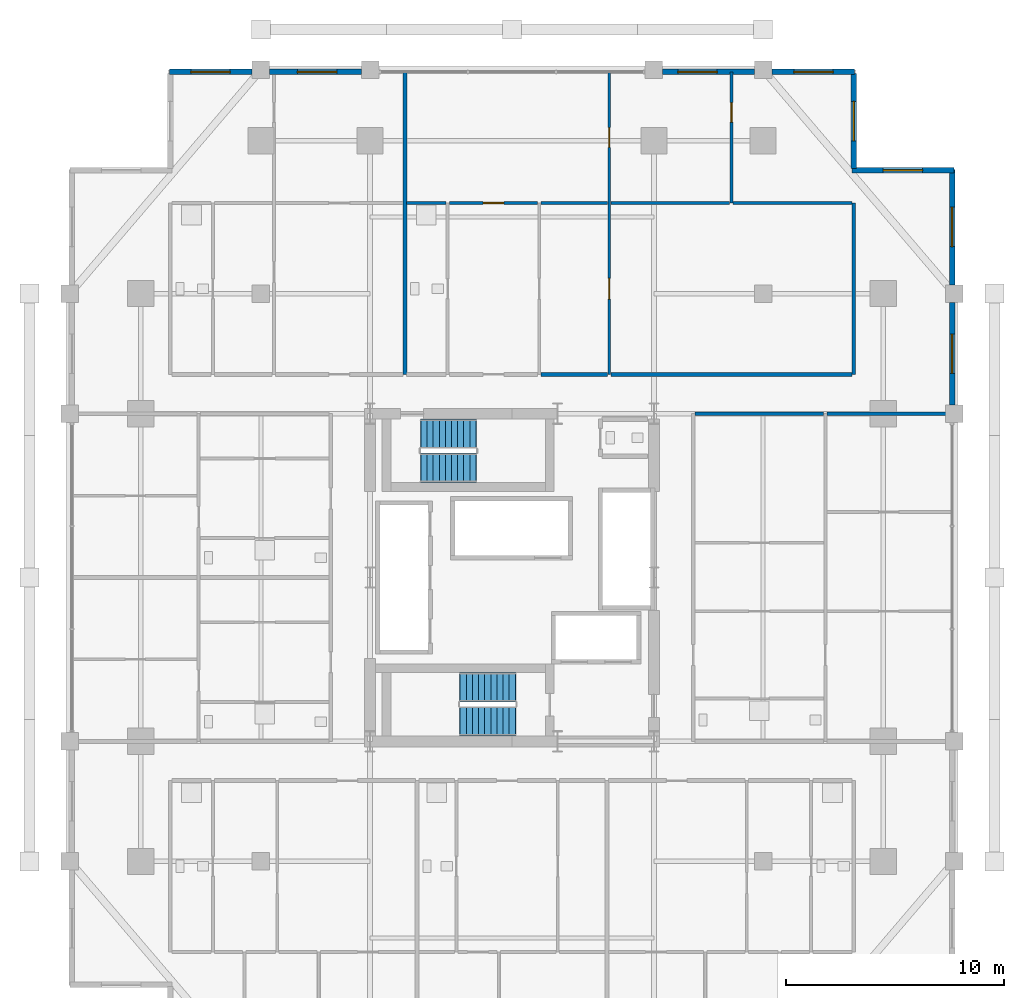
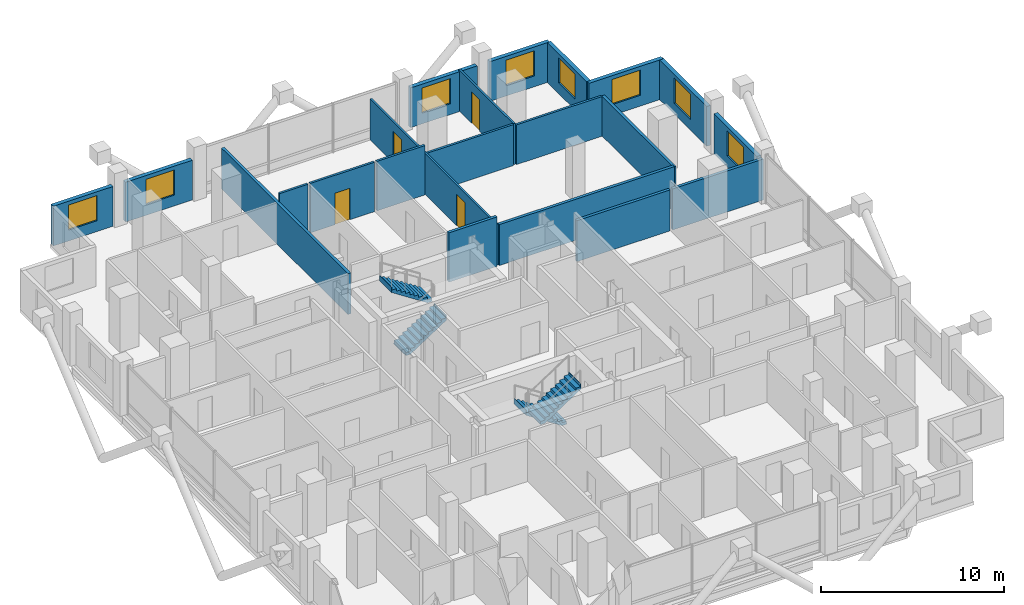
# One storey, part 21 of 23: 21 walls, 8 windows, 4 doors, 4 stair flights, 12 openings, 2 elements without a shape of their own.
"""IFC4 building model written with IfcOpenShell, lengths in metres."""

from ifc_helpers import new_model, si_unit, direction, frame, frame_2d, origin, place, context, subcontext, project, spatial, polyline, rectangle, outline, extrude, material, layer, layer_set, type_object, element, fill, aggregate, save


model = new_model("IFC4")

# Units and contexts
model_context = context("Model", 3, precision=1e-05, world=origin(), true_north=direction((0.0, 1.0)))
body_context = subcontext(model_context, "Body", "Model", "MODEL_VIEW")
ifc_project = project(units=[si_unit("LENGTHUNIT", "METRE"), si_unit("AREAUNIT", "SQUARE_METRE"), si_unit("VOLUMEUNIT", "CUBIC_METRE"), si_unit("PLANEANGLEUNIT", "RADIAN"), si_unit("MASSUNIT", "GRAM", prefix="KILO")], contexts=[model_context])

# Site, building, storey
site_placement = place(None, origin())
site = spatial("IfcSite", under=ifc_project, at=site_placement, CompositionType="ELEMENT")
building_placement = place(site_placement, origin())
building = spatial("IfcBuilding", under=site, at=building_placement, Name="Barlavira Tower and Art Museum", CompositionType="ELEMENT")
storey_placement = place(building_placement, frame((0.0, 0.0, 117.0)))
storey = spatial("IfcBuildingStorey", under=building, at=storey_placement, Name="L29", CompositionType="ELEMENT", Elevation=117.0)

# Wall, openings, doors
ifc_material_1 = material(Name="Gypsum acoustic stud partition", Category="gypsum")
ifc_layer_1 = layer(ifc_material_1, 0.1201171875, Name="Gypsum acoustic stud partition")
ifc_layer_set_1 = layer_set([ifc_layer_1], Name="Gypsum acoustic stud partition")
wall_type_1 = type_object("IfcWallType", Name="Apartment Internal Acoustic Partition 120", PredefinedType="PARTITIONING", material=ifc_layer_set_1)
wall_1_placement = place(storey_placement, frame((4.449951171875, 9.300048828125, 0.0), z_axis=(0.0, 0.0, 1.0), x_axis=(0.0, 1.0, 0.0)))
wall_1 = element("IfcWall", 1, at=wall_1_placement, inside=storey, type_object=wall_type_1, Name="L29 Partition Wall 20", PredefinedType="PARTITIONING", context=body_context, shape_type="SweptSolid", body=[
    extrude(rectangle(XDim=13.849853515625, YDim=0.1201171875, at=frame_2d((6.9248046875, 0.0))), origin(), (0.0, 0.0, 1.0), 2.736083984375),
])
opening_1_placement = place(wall_1_placement, frame((3.445068359375, 0.0, 0.0)))
opening_1 = element("IfcOpeningElement", 2, at=opening_1_placement, cuts=wall_1, Name="Opening D-02", PredefinedType="OPENING", context=body_context, shape_type="SweptSolid", body=[
    extrude(rectangle(XDim=0.949951171875, YDim=2.10009765625, at=frame_2d((0.47509765625, 1.050048828125))), frame((0.0, 0.070068359375, 0.0), z_axis=(0.0, -1.0, 0.0), x_axis=(1.0, 0.0, 0.0)), (0.0, 0.0, 1.0), 0.14013671875),
])
opening_2_placement = place(wall_1_placement, frame((10.39990234375, 0.0, 0.0)))
opening_2 = element("IfcOpeningElement", 3, at=opening_2_placement, cuts=wall_1, Name="Opening D-01", PredefinedType="OPENING", context=body_context, shape_type="SweptSolid", body=[
    extrude(rectangle(XDim=0.89990234375, YDim=2.10009765625, at=frame_2d((0.449951171875, 1.050048828125))), frame((0.0, 0.070068359375, 0.0), z_axis=(0.0, -1.0, 0.0), x_axis=(1.0, 0.0, 0.0)), (0.0, 0.0, 1.0), 0.14013671875),
])
ifc_material_2 = material(Name="Engineered coastal hardwood", Category="wood")
door_type_1 = type_object("IfcDoorType", Name="Internal Bedroom Timber Flush Door 900x2100", OperationType="NOTDEFINED", PredefinedType="DOOR", material=ifc_material_2)
door_1_placement = place(opening_2_placement, origin())
door_1 = element("IfcDoor", 4, at=door_1_placement, inside=storey, type_object=door_type_1, Name="Apartment N2 Bedroom 1 Door", OperationType="SINGLE_SWING_RIGHT", OverallHeight=2.10009765625, OverallWidth=0.89990234375, PredefinedType="DOOR", context=body_context, shape_type="SweptSolid", body=[
    extrude(rectangle(XDim=0.89990234375, YDim=2.10009765625, at=frame_2d((0.449951171875, 1.050048828125))), frame((0.0, 0.02490234375, 0.0), z_axis=(0.0, -1.0, 0.0), x_axis=(1.0, 0.0, 0.0)), (0.0, 0.0, 1.0), 0.050048828125),
])
fill(opening_2, door_1)
door_type_2 = type_object("IfcDoorType", Name="Living and Salon Glazed-Leaf Door 950x2100", OperationType="NOTDEFINED", PredefinedType="DOOR", material=ifc_material_2)
door_2_placement = place(opening_1_placement, origin())
door_2 = element("IfcDoor", 5, at=door_2_placement, inside=storey, type_object=door_type_2, Name="Apartment N2 Dining Salon Door", OperationType="SINGLE_SWING_RIGHT", OverallHeight=2.10009765625, OverallWidth=0.949951171875, PredefinedType="DOOR", context=body_context, shape_type="SweptSolid", body=[
    extrude(rectangle(XDim=0.949951171875, YDim=2.10009765625, at=frame_2d((0.47509765625, 1.050048828125))), frame((0.0, 0.02490234375, 0.0), z_axis=(0.0, -1.0, 0.0), x_axis=(1.0, 0.0, 0.0)), (0.0, 0.0, 1.0), 0.050048828125),
])
fill(opening_1, door_2)

# Wall, opening, door
wall_2_placement = place(storey_placement, frame((10.050048828125, 17.14990234375, 0.0), z_axis=(0.0, 0.0, 1.0), x_axis=(0.0, 1.0, 0.0)))
wall_2 = element("IfcWall", 6, at=wall_2_placement, inside=storey, type_object=wall_type_1, Name="L29 Partition Wall 23", PredefinedType="PARTITIONING", context=body_context, shape_type="SweptSolid", body=[
    extrude(rectangle(XDim=6.0, YDim=0.1201171875, at=frame_2d((3.0, 0.0))), origin(), (0.0, 0.0, 1.0), 2.736083984375),
])
opening_3_placement = place(wall_2_placement, frame((3.701171875, 0.0, 0.0)))
opening_3 = element("IfcOpeningElement", 7, at=opening_3_placement, cuts=wall_2, Name="Opening D-01", PredefinedType="OPENING", context=body_context, shape_type="SweptSolid", body=[
    extrude(rectangle(XDim=0.89990234375, YDim=2.10009765625, at=frame_2d((0.449951171875, 1.050048828125))), frame((0.0, 0.070068359375, 0.0), z_axis=(0.0, -1.0, 0.0), x_axis=(1.0, 0.0, 0.0)), (0.0, 0.0, 1.0), 0.14013671875),
])
door_3_placement = place(opening_3_placement, origin())
door_3 = element("IfcDoor", 8, at=door_3_placement, inside=storey, type_object=door_type_1, Name="Apartment N2 Bedroom 2 Door", OperationType="SINGLE_SWING_LEFT", OverallHeight=2.10009765625, OverallWidth=0.89990234375, PredefinedType="DOOR", context=body_context, shape_type="SweptSolid", body=[
    extrude(rectangle(XDim=0.89990234375, YDim=2.10009765625, at=frame_2d((0.449951171875, 1.050048828125))), frame((0.0, 0.02490234375, 0.0), z_axis=(0.0, -1.0, 0.0), x_axis=(1.0, 0.0, 0.0)), (0.0, 0.0, 1.0), 0.050048828125),
])
fill(opening_3, door_3)

# Walls
ifc_layer_2 = layer(ifc_material_1, 0.179931640625, Name="Gypsum acoustic stud partition")
ifc_layer_set_2 = layer_set([ifc_layer_2], Name="Gypsum acoustic stud partition")
wall_type_2 = type_object("IfcWallType", Name="Inter-Tenancy Party Partition Wall 180", PredefinedType="PARTITIONING", material=ifc_layer_set_2)
wall_3_placement = place(storey_placement, frame((-4.89990234375, 9.300048828125, 0.0), z_axis=(0.0, 0.0, 1.0), x_axis=(0.0, 1.0, 0.0)))
element("IfcWall", 9, at=wall_3_placement, inside=storey, type_object=wall_type_2, Name="L29 Partition Wall 11", PredefinedType="PARTITIONING", context=body_context, shape_type="SweptSolid", body=[
    extrude(rectangle(XDim=13.849853515625, YDim=0.179931640625, at=frame_2d((6.9248046875, 0.0))), origin(), (0.0, 0.0, 1.0), 2.736083984375),
])
wall_4_placement = place(storey_placement, frame((15.64990234375, 9.300048828125, 0.0), z_axis=(0.0, 0.0, 1.0), x_axis=(0.0, 1.0, 0.0)))
element("IfcWall", 10, at=wall_4_placement, inside=storey, type_object=wall_type_2, Name="L29 Partition Wall 29", PredefinedType="PARTITIONING", context=body_context, shape_type="SweptSolid", body=[
    extrude(rectangle(XDim=7.849853515625, YDim=0.179931640625, at=frame_2d((3.9248046875, 0.0))), origin(), (0.0, 0.0, 1.0), 2.656005859375),
])
wall_5_placement = place(storey_placement, frame((8.3798828125, 7.5, 0.0), z_axis=(0.0, 0.0, 1.0), x_axis=(1.0, 0.0, 0.0)))
element("IfcWall", 11, at=wall_5_placement, inside=storey, type_object=wall_type_2, Name="L29 Partition Wall 74", PredefinedType="PARTITIONING", context=body_context, shape_type="SweptSolid", body=[
    extrude(rectangle(XDim=5.89013671875, YDim=0.179931640625, at=frame_2d((2.945068359375, 0.0))), origin(), (0.0, 0.0, 1.0), 2.736083984375),
])
wall_6_placement = place(storey_placement, frame((14.429931640625, 7.5, 0.0), z_axis=(0.0, 0.0, 1.0), x_axis=(1.0, 0.0, 0.0)))
element("IfcWall", 12, at=wall_6_placement, inside=storey, type_object=wall_type_2, Name="L29 Partition Wall 75", PredefinedType="PARTITIONING", context=body_context, shape_type="SweptSolid", body=[
    extrude(rectangle(XDim=5.719970703125, YDim=0.179931640625, at=frame_2d((2.85986328125, 0.0))), origin(), (0.0, 0.0, 1.0), 2.736083984375),
])
wall_7_placement = place(storey_placement, frame((1.330078125, 9.300048828125, 0.0), z_axis=(0.0, 0.0, 1.0), x_axis=(1.0, 0.0, 0.0)))
element("IfcWall", 13, at=wall_7_placement, inside=storey, type_object=wall_type_2, Name="L29 Partition Wall 81", PredefinedType="PARTITIONING", context=body_context, shape_type="SweptSolid", body=[
    extrude(rectangle(XDim=3.0400390625, YDim=0.179931640625, at=frame_2d((1.52001953125, 0.0))), origin(), (0.0, 0.0, 1.0), 3.300048828125),
])
wall_8_placement = place(storey_placement, frame((4.530029296875, 9.300048828125, 0.0), z_axis=(0.0, 0.0, 1.0), x_axis=(1.0, 0.0, 0.0)))
element("IfcWall", 14, at=wall_8_placement, inside=storey, type_object=wall_type_2, Name="L29 Partition Wall 82", PredefinedType="PARTITIONING", context=body_context, shape_type="SweptSolid", body=[
    extrude(rectangle(XDim=11.0400390625, YDim=0.179931640625, at=frame_2d((5.52001953125, 0.0))), origin(), (0.0, 0.0, 1.0), 2.736083984375),
])
ifc_layer_3 = layer(ifc_material_1, 0.139892578125, Name="Gypsum acoustic stud partition")
ifc_layer_set_3 = layer_set([ifc_layer_3], Name="Gypsum acoustic stud partition")
wall_type_3 = type_object("IfcWallType", Name="Moisture-Resistant Bathroom Partition 140", PredefinedType="PARTITIONING", material=ifc_layer_set_3)
wall_9_placement = place(storey_placement, frame((-4.820068359375, 17.14990234375, 0.0), z_axis=(0.0, 0.0, 1.0), x_axis=(1.0, 0.0, 0.0)))
element("IfcWall", 15, at=wall_9_placement, inside=storey, type_object=wall_type_3, Name="L29 Partition Wall 86", PredefinedType="PARTITIONING", context=body_context, shape_type="SweptSolid", body=[
    extrude(rectangle(XDim=1.7900390625, YDim=0.139892578125, at=frame_2d((0.89501953125, 0.0))), origin(), (0.0, 0.0, 1.0), 3.300048828125),
])

# Wall, opening, door
wall_10_placement = place(storey_placement, frame((-2.8701171875, 17.14990234375, 0.0), z_axis=(0.0, 0.0, 1.0), x_axis=(1.0, 0.0, 0.0)))
wall_10 = element("IfcWall", 16, at=wall_10_placement, inside=storey, type_object=wall_type_3, Name="L29 Partition Wall 87", PredefinedType="PARTITIONING", context=body_context, shape_type="SweptSolid", body=[
    extrude(rectangle(XDim=4.0400390625, YDim=0.139892578125, at=frame_2d((2.02001953125, 0.0))), origin(), (0.0, 0.0, 1.0), 3.300048828125),
])
opening_4_placement = place(wall_10_placement, frame((1.544921875, 0.0, 0.0)))
opening_4 = element("IfcOpeningElement", 17, at=opening_4_placement, cuts=wall_10, Name="Opening D-02", PredefinedType="OPENING", context=body_context, shape_type="SweptSolid", body=[
    extrude(rectangle(XDim=0.949951171875, YDim=2.10009765625, at=frame_2d((0.47509765625, 1.050048828125))), frame((0.0, 0.080078125, 0.0), z_axis=(0.0, -1.0, 0.0), x_axis=(1.0, 0.0, 0.0)), (0.0, 0.0, 1.0), 0.159912109375),
])
door_4_placement = place(opening_4_placement, origin())
door_4 = element("IfcDoor", 18, at=door_4_placement, inside=storey, type_object=door_type_2, Name="Apartment N2 Living Lounge Door", OperationType="SINGLE_SWING_LEFT", OverallHeight=2.10009765625, OverallWidth=0.949951171875, PredefinedType="DOOR", context=body_context, shape_type="SweptSolid", body=[
    extrude(rectangle(XDim=0.949951171875, YDim=2.10009765625, at=frame_2d((0.47509765625, 1.050048828125))), frame((0.0, 0.02490234375, 0.0), z_axis=(0.0, -1.0, 0.0), x_axis=(1.0, 0.0, 0.0)), (0.0, 0.0, 1.0), 0.050048828125),
])
fill(opening_4, door_4)

# Walls
wall_11_placement = place(storey_placement, frame((1.330078125, 17.14990234375, 0.0), z_axis=(0.0, 0.0, 1.0), x_axis=(1.0, 0.0, 0.0)))
element("IfcWall", 19, at=wall_11_placement, inside=storey, type_object=wall_type_3, Name="L29 Partition Wall 88", PredefinedType="PARTITIONING", context=body_context, shape_type="SweptSolid", body=[
    extrude(rectangle(XDim=3.0400390625, YDim=0.139892578125, at=frame_2d((1.52001953125, 0.0))), origin(), (0.0, 0.0, 1.0), 3.300048828125),
])
wall_12_placement = place(storey_placement, frame((4.530029296875, 17.14990234375, 0.0), z_axis=(0.0, 0.0, 1.0), x_axis=(1.0, 0.0, 0.0)))
element("IfcWall", 20, at=wall_12_placement, inside=storey, type_object=wall_type_3, Name="L29 Partition Wall 89", PredefinedType="PARTITIONING", context=body_context, shape_type="SweptSolid", body=[
    extrude(rectangle(XDim=5.43994140625, YDim=0.139892578125, at=frame_2d((2.719970703125, 0.0))), origin(), (0.0, 0.0, 1.0), 2.736083984375),
])
wall_13_placement = place(storey_placement, frame((10.1298828125, 17.14990234375, 0.0), z_axis=(0.0, 0.0, 1.0), x_axis=(1.0, 0.0, 0.0)))
element("IfcWall", 21, at=wall_13_placement, inside=storey, type_object=wall_type_3, Name="L29 Partition Wall 90", PredefinedType="PARTITIONING", context=body_context, shape_type="SweptSolid", body=[
    extrude(rectangle(XDim=5.440185546875, YDim=0.139892578125, at=frame_2d((2.72021484375, 0.0))), origin(), (0.0, 0.0, 1.0), 2.656005859375),
])

# Wall, opening, window
ifc_material_3 = material(Name="Precast concrete C40", Category="concrete")
ifc_layer_4 = layer(ifc_material_3, 0.25, Name="Precast concrete C40")
ifc_layer_set_4 = layer_set([ifc_layer_4], Name="Precast concrete C40")
wall_type_4 = type_object("IfcWallType", Name="Notched Corner Spandrel Wall 250 Precast Concrete C40", PredefinedType="SOLIDWALL", material=ifc_layer_set_4)
wall_14_placement = place(storey_placement, frame((15.675048828125, 23.14990234375, 0.0), z_axis=(0.0, 0.0, 1.0), x_axis=(-1.0, 0.0, 0.0)))
wall_14 = element("IfcWall", 22, at=wall_14_placement, inside=storey, type_object=wall_type_4, Name="L29 Coastal Facade Pier Wall CW2-L29-N-1", PredefinedType="SOLIDWALL", context=body_context, shape_type="SweptSolid", body=[
    extrude(rectangle(XDim=3.780029296875, YDim=0.25, at=frame_2d((1.89013671875, 0.0))), origin(), (0.0, 0.0, 1.0), 2.656005859375),
])
opening_5_placement = place(wall_14_placement, frame((0.968017578125, 0.0, 0.719970703125)))
opening_5 = element("IfcOpeningElement", 23, at=opening_5_placement, cuts=wall_14, Name="Opening WN-01", PredefinedType="OPENING", context=body_context, shape_type="SweptSolid", body=[
    extrude(rectangle(XDim=1.800048828125, YDim=1.679931640625, at=frame_2d((0.89990234375, 0.83984375))), frame((0.0, 0.135009765625, 0.0), z_axis=(0.0, -1.0, 0.0), x_axis=(1.0, 0.0, 0.0)), (0.0, 0.0, 1.0), 0.27001953125),
])
ifc_material_4 = material(Name="Low-iron coastal laminated glass", Category="glass")
window_type = type_object("IfcWindowType", Name="Recessed Notch Corner Punch Window 1800x1680", PartitioningType="SINGLE_PANEL", PredefinedType="WINDOW", material=ifc_material_4)
window_1_placement = place(opening_5_placement, origin())
window_1 = element("IfcWindow", 24, at=window_1_placement, inside=storey, type_object=window_type, Name="L29 Punched Facade Window EWP-CW2-L29-N-1-1", OverallHeight=1.679931640625, OverallWidth=1.800048828125, PartitioningType="SINGLE_PANEL", PredefinedType="WINDOW", context=body_context, shape_type="SweptSolid", body=[
    extrude(rectangle(XDim=1.800048828125, YDim=1.679931640625, at=frame_2d((0.89990234375, 0.83984375))), frame((0.0, 0.030029296875, 0.0), z_axis=(0.0, -1.0, 0.0), x_axis=(1.0, 0.0, 0.0)), (0.0, 0.0, 1.0), 0.06005859375),
])
fill(opening_5, window_1)

wall_15_placement = place(storey_placement, frame((11.10498046875, 23.14990234375, 0.0), z_axis=(0.0, 0.0, 1.0), x_axis=(-1.0, 0.0, 0.0)))
wall_15 = element("IfcWall", 25, at=wall_15_placement, inside=storey, type_object=wall_type_4, Name="L29 Coastal Facade Pier Wall CW2-L29-N-2", PredefinedType="SOLIDWALL", context=body_context, shape_type="SweptSolid", body=[
    extrude(rectangle(XDim=4.2099609375, YDim=0.25, at=frame_2d((2.10498046875, 0.0))), origin(), (0.0, 0.0, 1.0), 2.656005859375),
])
opening_6_placement = place(wall_15_placement, frame((1.7099609375, 0.0, 0.719970703125)))
opening_6 = element("IfcOpeningElement", 26, at=opening_6_placement, cuts=wall_15, Name="Opening WN-01", PredefinedType="OPENING", context=body_context, shape_type="SweptSolid", body=[
    extrude(rectangle(XDim=1.800048828125, YDim=1.679931640625, at=frame_2d((0.89990234375, 0.83984375))), frame((0.0, 0.135009765625, 0.0), z_axis=(0.0, -1.0, 0.0), x_axis=(1.0, 0.0, 0.0)), (0.0, 0.0, 1.0), 0.27001953125),
])
window_2_placement = place(opening_6_placement, origin())
window_2 = element("IfcWindow", 27, at=window_2_placement, inside=storey, type_object=window_type, Name="L29 Punched Facade Window EWP-CW2-L29-N-2-1", OverallHeight=1.679931640625, OverallWidth=1.800048828125, PartitioningType="SINGLE_PANEL", PredefinedType="WINDOW", context=body_context, shape_type="SweptSolid", body=[
    extrude(rectangle(XDim=1.800048828125, YDim=1.679931640625, at=frame_2d((0.89990234375, 0.83984375))), frame((0.0, 0.030029296875, 0.0), z_axis=(0.0, -1.0, 0.0), x_axis=(1.0, 0.0, 0.0)), (0.0, 0.0, 1.0), 0.06005859375),
])
fill(opening_6, window_2)

wall_16_placement = place(storey_placement, frame((-6.89501953125, 23.14990234375, 0.0), z_axis=(0.0, 0.0, 1.0), x_axis=(-1.0, 0.0, 0.0)))
wall_16 = element("IfcWall", 28, at=wall_16_placement, inside=storey, type_object=wall_type_4, Name="L29 Coastal Facade Pier Wall CW2-L29-N-4", PredefinedType="SOLIDWALL", context=body_context, shape_type="SweptSolid", body=[
    extrude(rectangle(XDim=4.2099609375, YDim=0.25, at=frame_2d((2.10498046875, 0.0))), origin(), (0.0, 0.0, 1.0), 2.656005859375),
])
opening_7_placement = place(wall_16_placement, frame((1.1298828125, 0.0, 0.719970703125)))
opening_7 = element("IfcOpeningElement", 29, at=opening_7_placement, cuts=wall_16, Name="Opening WN-01", PredefinedType="OPENING", context=body_context, shape_type="SweptSolid", body=[
    extrude(rectangle(XDim=1.800048828125, YDim=1.679931640625, at=frame_2d((0.89990234375, 0.83984375))), frame((0.0, 0.135009765625, 0.0), z_axis=(0.0, -1.0, 0.0), x_axis=(1.0, 0.0, 0.0)), (0.0, 0.0, 1.0), 0.27001953125),
])
window_3_placement = place(opening_7_placement, origin())
window_3 = element("IfcWindow", 30, at=window_3_placement, inside=storey, type_object=window_type, Name="L29 Punched Facade Window EWP-CW2-L29-N-4-1", OverallHeight=1.679931640625, OverallWidth=1.800048828125, PartitioningType="SINGLE_PANEL", PredefinedType="WINDOW", context=body_context, shape_type="SweptSolid", body=[
    extrude(rectangle(XDim=1.800048828125, YDim=1.679931640625, at=frame_2d((0.89990234375, 0.83984375))), frame((0.0, 0.030029296875, 0.0), z_axis=(0.0, -1.0, 0.0), x_axis=(1.0, 0.0, 0.0)), (0.0, 0.0, 1.0), 0.06005859375),
])
fill(opening_7, window_3)

wall_17_placement = place(storey_placement, frame((-11.89501953125, 23.14990234375, 0.0), z_axis=(0.0, 0.0, 1.0), x_axis=(-1.0, 0.0, 0.0)))
wall_17 = element("IfcWall", 31, at=wall_17_placement, inside=storey, type_object=wall_type_4, Name="L29 Coastal Facade Pier Wall CW2-L29-N-5", PredefinedType="SOLIDWALL", context=body_context, shape_type="SweptSolid", body=[
    extrude(rectangle(XDim=3.780029296875, YDim=0.25, at=frame_2d((1.89013671875, 0.0))), origin(), (0.0, 0.0, 1.0), 2.656005859375),
])
opening_8_placement = place(wall_17_placement, frame((1.012939453125, 0.0, 0.719970703125)))
opening_8 = element("IfcOpeningElement", 32, at=opening_8_placement, cuts=wall_17, Name="Opening WN-01", PredefinedType="OPENING", context=body_context, shape_type="SweptSolid", body=[
    extrude(rectangle(XDim=1.800048828125, YDim=1.679931640625, at=frame_2d((0.89990234375, 0.83984375))), frame((0.0, 0.135009765625, 0.0), z_axis=(0.0, -1.0, 0.0), x_axis=(1.0, 0.0, 0.0)), (0.0, 0.0, 1.0), 0.27001953125),
])
window_4_placement = place(opening_8_placement, origin())
window_4 = element("IfcWindow", 33, at=window_4_placement, inside=storey, type_object=window_type, Name="L29 Punched Facade Window EWP-CW2-L29-N-5-1", OverallHeight=1.679931640625, OverallWidth=1.800048828125, PartitioningType="SINGLE_PANEL", PredefinedType="WINDOW", context=body_context, shape_type="SweptSolid", body=[
    extrude(rectangle(XDim=1.800048828125, YDim=1.679931640625, at=frame_2d((0.89990234375, 0.83984375))), frame((0.0, 0.030029296875, 0.0), z_axis=(0.0, -1.0, 0.0), x_axis=(1.0, 0.0, 0.0)), (0.0, 0.0, 1.0), 0.06005859375),
])
fill(opening_8, window_4)

wall_18_placement = place(storey_placement, frame((20.14990234375, 7.89501953125, 0.0), z_axis=(0.0, 0.0, 1.0), x_axis=(0.0, 1.0, 0.0)))
wall_18 = element("IfcWall", 34, at=wall_18_placement, inside=storey, type_object=wall_type_4, Name="L29 Coastal Facade Pier Wall CW2-L29-E-4", PredefinedType="SOLIDWALL", context=body_context, shape_type="SweptSolid", body=[
    extrude(rectangle(XDim=4.7099609375, YDim=0.25, at=frame_2d((2.35498046875, 0.0))), origin(), (0.0, 0.0, 1.0), 2.656005859375),
])
opening_9_placement = place(wall_18_placement, frame((1.455078125, 0.0, 0.719970703125)))
opening_9 = element("IfcOpeningElement", 35, at=opening_9_placement, cuts=wall_18, Name="Opening WN-01", PredefinedType="OPENING", context=body_context, shape_type="SweptSolid", body=[
    extrude(rectangle(XDim=1.800048828125, YDim=1.679931640625, at=frame_2d((0.89990234375, 0.83984375))), frame((0.0, 0.135009765625, 0.0), z_axis=(0.0, -1.0, 0.0), x_axis=(1.0, 0.0, 0.0)), (0.0, 0.0, 1.0), 0.27001953125),
])
window_5_placement = place(opening_9_placement, origin())
window_5 = element("IfcWindow", 36, at=window_5_placement, inside=storey, type_object=window_type, Name="L29 Punched Facade Window EWP-CW2-L29-E-4-1", OverallHeight=1.679931640625, OverallWidth=1.800048828125, PartitioningType="SINGLE_PANEL", PredefinedType="WINDOW", context=body_context, shape_type="SweptSolid", body=[
    extrude(rectangle(XDim=1.800048828125, YDim=1.679931640625, at=frame_2d((0.89990234375, 0.83984375))), frame((0.0, 0.030029296875, 0.0), z_axis=(0.0, -1.0, 0.0), x_axis=(1.0, 0.0, 0.0)), (0.0, 0.0, 1.0), 0.06005859375),
])
fill(opening_9, window_5)

wall_19_placement = place(storey_placement, frame((20.14990234375, 13.39501953125, 0.0), z_axis=(0.0, 0.0, 1.0), x_axis=(0.0, 1.0, 0.0)))
wall_19 = element("IfcWall", 37, at=wall_19_placement, inside=storey, type_object=wall_type_4, Name="L29 Coastal Facade Pier Wall CW2-L29-E-5", PredefinedType="SOLIDWALL", context=body_context, shape_type="SweptSolid", body=[
    extrude(rectangle(XDim=5.280029296875, YDim=0.25, at=frame_2d((2.64013671875, 0.0))), origin(), (0.0, 0.0, 1.0), 2.656005859375),
])
opening_10_placement = place(wall_19_placement, frame((1.762939453125, 0.0, 0.719970703125)))
opening_10 = element("IfcOpeningElement", 38, at=opening_10_placement, cuts=wall_19, Name="Opening WN-01", PredefinedType="OPENING", context=body_context, shape_type="SweptSolid", body=[
    extrude(rectangle(XDim=1.800048828125, YDim=1.679931640625, at=frame_2d((0.89990234375, 0.83984375))), frame((0.0, 0.135009765625, 0.0), z_axis=(0.0, -1.0, 0.0), x_axis=(1.0, 0.0, 0.0)), (0.0, 0.0, 1.0), 0.27001953125),
])
window_6_placement = place(opening_10_placement, origin())
window_6 = element("IfcWindow", 39, at=window_6_placement, inside=storey, type_object=window_type, Name="L29 Punched Facade Window EWP-CW2-L29-E-5-1", OverallHeight=1.679931640625, OverallWidth=1.800048828125, PartitioningType="SINGLE_PANEL", PredefinedType="WINDOW", context=body_context, shape_type="SweptSolid", body=[
    extrude(rectangle(XDim=1.800048828125, YDim=1.679931640625, at=frame_2d((0.89990234375, 0.83984375))), frame((0.0, 0.030029296875, 0.0), z_axis=(0.0, -1.0, 0.0), x_axis=(1.0, 0.0, 0.0)), (0.0, 0.0, 1.0), 0.06005859375),
])
fill(opening_10, window_6)

wall_20_placement = place(storey_placement, frame((20.22998046875, 18.64990234375, 0.0), z_axis=(0.0, 0.0, 1.0), x_axis=(-1.0, 0.0, 0.0)))
wall_20 = element("IfcWall", 40, at=wall_20_placement, inside=storey, type_object=wall_type_4, Name="L29 Notch Corner Wall NE1", PredefinedType="SOLIDWALL", context=body_context, shape_type="SweptSolid", body=[
    extrude(rectangle(XDim=4.659912109375, YDim=0.25, at=frame_2d((2.330078125, 0.0))), origin(), (0.0, 0.0, 1.0), 2.656005859375),
])
opening_11_placement = place(wall_20_placement, frame((1.429931640625, 0.0, 0.719970703125)))
opening_11 = element("IfcOpeningElement", 41, at=opening_11_placement, cuts=wall_20, Name="Opening WN-01", PredefinedType="OPENING", context=body_context, shape_type="SweptSolid", body=[
    extrude(rectangle(XDim=1.800048828125, YDim=1.679931640625, at=frame_2d((0.89990234375, 0.83984375))), frame((0.0, 0.135009765625, 0.0), z_axis=(0.0, -1.0, 0.0), x_axis=(1.0, 0.0, 0.0)), (0.0, 0.0, 1.0), 0.27001953125),
])
window_7_placement = place(opening_11_placement, origin())
window_7 = element("IfcWindow", 42, at=window_7_placement, inside=storey, type_object=window_type, Name="L29 Punched Facade Window EW-NTC-L29-NE1-1", OverallHeight=1.679931640625, OverallWidth=1.800048828125, PartitioningType="SINGLE_PANEL", PredefinedType="WINDOW", context=body_context, shape_type="SweptSolid", body=[
    extrude(rectangle(XDim=1.800048828125, YDim=1.679931640625, at=frame_2d((0.89990234375, 0.83984375))), frame((0.0, 0.030029296875, 0.0), z_axis=(0.0, -1.0, 0.0), x_axis=(1.0, 0.0, 0.0)), (0.0, 0.0, 1.0), 0.06005859375),
])
fill(opening_11, window_7)

wall_21_placement = place(storey_placement, frame((15.64990234375, 18.72998046875, 0.0), z_axis=(0.0, 0.0, 1.0), x_axis=(0.0, 1.0, 0.0)))
wall_21 = element("IfcWall", 43, at=wall_21_placement, inside=storey, type_object=wall_type_4, Name="L29 Notch Corner Wall NE2", PredefinedType="SOLIDWALL", context=body_context, shape_type="SweptSolid", body=[
    extrude(rectangle(XDim=4.340087890625, YDim=0.25, at=frame_2d((2.169921875, 0.0))), origin(), (0.0, 0.0, 1.0), 2.656005859375),
])
opening_12_placement = place(wall_21_placement, frame((1.27001953125, 0.0, 0.719970703125)))
opening_12 = element("IfcOpeningElement", 44, at=opening_12_placement, cuts=wall_21, Name="Opening WN-01", PredefinedType="OPENING", context=body_context, shape_type="SweptSolid", body=[
    extrude(rectangle(XDim=1.800048828125, YDim=1.679931640625, at=frame_2d((0.89990234375, 0.83984375))), frame((0.0, 0.135009765625, 0.0), z_axis=(0.0, -1.0, 0.0), x_axis=(1.0, 0.0, 0.0)), (0.0, 0.0, 1.0), 0.27001953125),
])
window_8_placement = place(opening_12_placement, origin())
window_8 = element("IfcWindow", 45, at=window_8_placement, inside=storey, type_object=window_type, Name="L29 Punched Facade Window EW-NTC-L29-NE2-1", OverallHeight=1.679931640625, OverallWidth=1.800048828125, PartitioningType="SINGLE_PANEL", PredefinedType="WINDOW", context=body_context, shape_type="SweptSolid", body=[
    extrude(rectangle(XDim=1.800048828125, YDim=1.679931640625, at=frame_2d((0.89990234375, 0.83984375))), frame((0.0, 0.030029296875, 0.0), z_axis=(0.0, -1.0, 0.0), x_axis=(1.0, 0.0, 0.0)), (0.0, 0.0, 1.0), 0.06005859375),
])
fill(opening_12, window_8)

# Stair, stair flights
ifc_material_5 = material(Name="Concrete C45", Category="concrete")
stair_type_1 = type_object("IfcStairType", Name="Tower North Dog-Leg Exit Stair Assembly Concrete C45", PredefinedType="TWO_QUARTER_TURN_STAIR", material=ifc_material_5)
stair_1_placement = place(storey_placement, origin())
stair_1 = element("IfcStair", 46, at=stair_1_placement, inside=storey, type_object=stair_type_1, Name="L29 Tower North Exit Stair ST-T2", PredefinedType="TWO_QUARTER_TURN_STAIR")
ifc_material_6 = material(Name="Precast concrete C45", Category="concrete")
stair_flight_type_1 = type_object("IfcStairFlightType", Name="Tower North Dog-Leg Exit Stair Precast Flight 1350 Concrete C45", PredefinedType="STRAIGHT", material=ifc_material_6)
stair_flight_1_placement = place(storey_placement, frame((-4.169921875, 5.02490234375, 0.0), z_axis=(0.0, 0.0, 1.0), x_axis=(1.0, 0.0, 0.0)))
stair_flight_1 = element("IfcStairFlight", 47, at=stair_flight_1_placement, type_object=stair_flight_type_1, Name="ST-T2 flight 1", NumberOfRisers=10, NumberOfTreads=9, PredefinedType="STRAIGHT", RiserHeight=0.18, TreadLength=0.28, context=body_context, shape_type="SweptSolid", body=[
    extrude(outline(polyline([(-0.02490234375, 0.0), (0.0, 0.0), (0.0, 0.179931640625), (0.280029296875, 0.179931640625), (0.280029296875, 0.360107421875), (0.56005859375, 0.360107421875), (0.56005859375, 0.5400390625), (0.840087890625, 0.5400390625), (0.840087890625, 0.719970703125), (1.1201171875, 0.719970703125), (1.1201171875, 0.89990234375), (1.39990234375, 0.89990234375), (1.39990234375, 1.080078125), (1.679931640625, 1.080078125), (1.679931640625, 1.260009765625), (1.9599609375, 1.260009765625), (1.9599609375, 1.43994140625), (2.239990234375, 1.43994140625), (2.239990234375, 1.6201171875), (2.52001953125, 1.6201171875), (2.52001953125, 1.800048828125), (2.544921875, 1.800048828125), (2.544921875, 1.44189453125), (2.52001953125, 1.44189453125), (0.277099609375, -0.02490234375), (-0.02490234375, -0.02490234375), (-0.02490234375, 0.0)])), frame((0.0, 0.675048828125, 0.0), z_axis=(0.0, -1.0, 0.0), x_axis=(1.0, 0.0, 0.0)), (0.0, 0.0, 1.0), 1.35009765625),
])
stair_flight_2_placement = place(storey_placement, frame((-1.64990234375, 6.574951171875, 1.800048828125), z_axis=(0.0, 0.0, 1.0), x_axis=(-1.0, 0.0, 0.0)))
stair_flight_2 = element("IfcStairFlight", 48, at=stair_flight_2_placement, type_object=stair_flight_type_1, Name="ST-T2 flight 2", NumberOfRisers=10, NumberOfTreads=9, PredefinedType="STRAIGHT", RiserHeight=0.18, TreadLength=0.28, context=body_context, shape_type="SweptSolid", body=[
    extrude(outline(polyline([(-0.02490234375, 0.0), (0.0, 0.0), (0.0, 0.179931640625), (0.280029296875, 0.179931640625), (0.280029296875, 0.360107421875), (0.56005859375, 0.360107421875), (0.56005859375, 0.5400390625), (0.840087890625, 0.5400390625), (0.840087890625, 0.719970703125), (1.1201171875, 0.719970703125), (1.1201171875, 0.89990234375), (1.39990234375, 0.89990234375), (1.39990234375, 1.080078125), (1.679931640625, 1.080078125), (1.679931640625, 1.260009765625), (1.9599609375, 1.260009765625), (1.9599609375, 1.43994140625), (2.239990234375, 1.43994140625), (2.239990234375, 1.6201171875), (2.52001953125, 1.6201171875), (2.52001953125, 1.800048828125), (2.544921875, 1.800048828125), (2.544921875, 1.44189453125), (2.52001953125, 1.44189453125), (0.277099609375, -0.02490234375), (-0.02490234375, -0.02490234375), (-0.02490234375, 0.0)])), frame((0.0, 0.675048828125, 0.0), z_axis=(0.0, -1.0, 0.0), x_axis=(1.0, 0.0, 0.0)), (0.0, 0.0, 1.0), 1.35009765625),
])
aggregate(stair_1, [stair_flight_1, stair_flight_2])

stair_type_2 = type_object("IfcStairType", Name="Tower South Dog-Leg Exit Stair Assembly Concrete C45", PredefinedType="TWO_QUARTER_TURN_STAIR", material=ifc_material_5)
stair_2_placement = place(storey_placement, origin())
stair_2 = element("IfcStair", 49, at=stair_2_placement, inside=storey, type_object=stair_type_2, Name="L29 Tower South Exit Stair ST-T1", PredefinedType="TWO_QUARTER_TURN_STAIR")
stair_flight_type_2 = type_object("IfcStairFlightType", Name="Tower South Dog-Leg Exit Stair Precast Flight 1350 Concrete C45", PredefinedType="STRAIGHT", material=ifc_material_6)
stair_flight_3_placement = place(storey_placement, frame((0.14990234375, -5.02490234375, 0.0), z_axis=(0.0, 0.0, 1.0), x_axis=(-1.0, 0.0, 0.0)))
stair_flight_3 = element("IfcStairFlight", 50, at=stair_flight_3_placement, type_object=stair_flight_type_2, Name="ST-T1 flight 1", NumberOfRisers=10, NumberOfTreads=9, PredefinedType="STRAIGHT", RiserHeight=0.18, TreadLength=0.28, context=body_context, shape_type="SweptSolid", body=[
    extrude(outline(polyline([(-0.02490234375, 0.0), (0.0, 0.0), (0.0, 0.179931640625), (0.280029296875, 0.179931640625), (0.280029296875, 0.360107421875), (0.56005859375, 0.360107421875), (0.56005859375, 0.5400390625), (0.840087890625, 0.5400390625), (0.840087890625, 0.719970703125), (1.1201171875, 0.719970703125), (1.1201171875, 0.89990234375), (1.39990234375, 0.89990234375), (1.39990234375, 1.080078125), (1.679931640625, 1.080078125), (1.679931640625, 1.260009765625), (1.9599609375, 1.260009765625), (1.9599609375, 1.43994140625), (2.239990234375, 1.43994140625), (2.239990234375, 1.6201171875), (2.52001953125, 1.6201171875), (2.52001953125, 1.800048828125), (2.544921875, 1.800048828125), (2.544921875, 1.44189453125), (2.52001953125, 1.44189453125), (0.277099609375, -0.02490234375), (-0.02490234375, -0.02490234375), (-0.02490234375, 0.0)])), frame((0.0, 0.675048828125, 0.0), z_axis=(0.0, -1.0, 0.0), x_axis=(1.0, 0.0, 0.0)), (0.0, 0.0, 1.0), 1.35009765625),
])
stair_flight_4_placement = place(storey_placement, frame((-2.3701171875, -6.574951171875, 1.800048828125), z_axis=(0.0, 0.0, 1.0), x_axis=(1.0, 0.0, 0.0)))
stair_flight_4 = element("IfcStairFlight", 51, at=stair_flight_4_placement, type_object=stair_flight_type_2, Name="ST-T1 flight 2", NumberOfRisers=10, NumberOfTreads=9, PredefinedType="STRAIGHT", RiserHeight=0.18, TreadLength=0.28, context=body_context, shape_type="SweptSolid", body=[
    extrude(outline(polyline([(-0.02490234375, 0.0), (0.0, 0.0), (0.0, 0.179931640625), (0.280029296875, 0.179931640625), (0.280029296875, 0.360107421875), (0.56005859375, 0.360107421875), (0.56005859375, 0.5400390625), (0.840087890625, 0.5400390625), (0.840087890625, 0.719970703125), (1.1201171875, 0.719970703125), (1.1201171875, 0.89990234375), (1.39990234375, 0.89990234375), (1.39990234375, 1.080078125), (1.679931640625, 1.080078125), (1.679931640625, 1.260009765625), (1.9599609375, 1.260009765625), (1.9599609375, 1.43994140625), (2.239990234375, 1.43994140625), (2.239990234375, 1.6201171875), (2.52001953125, 1.6201171875), (2.52001953125, 1.800048828125), (2.544921875, 1.800048828125), (2.544921875, 1.44189453125), (2.52001953125, 1.44189453125), (0.277099609375, -0.02490234375), (-0.02490234375, -0.02490234375), (-0.02490234375, 0.0)])), frame((0.0, 0.675048828125, 0.0), z_axis=(0.0, -1.0, 0.0), x_axis=(1.0, 0.0, 0.0)), (0.0, 0.0, 1.0), 1.35009765625),
])
aggregate(stair_2, [stair_flight_3, stair_flight_4])

save(model, "model.ifc")
